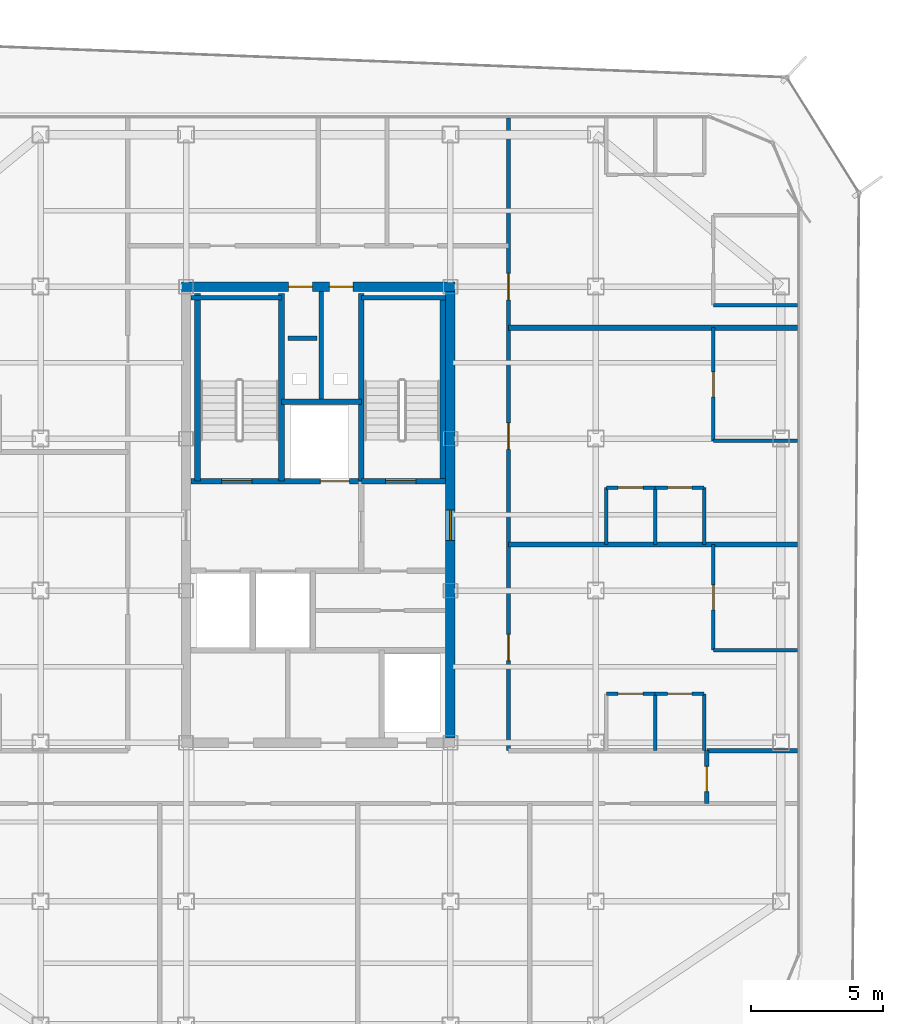
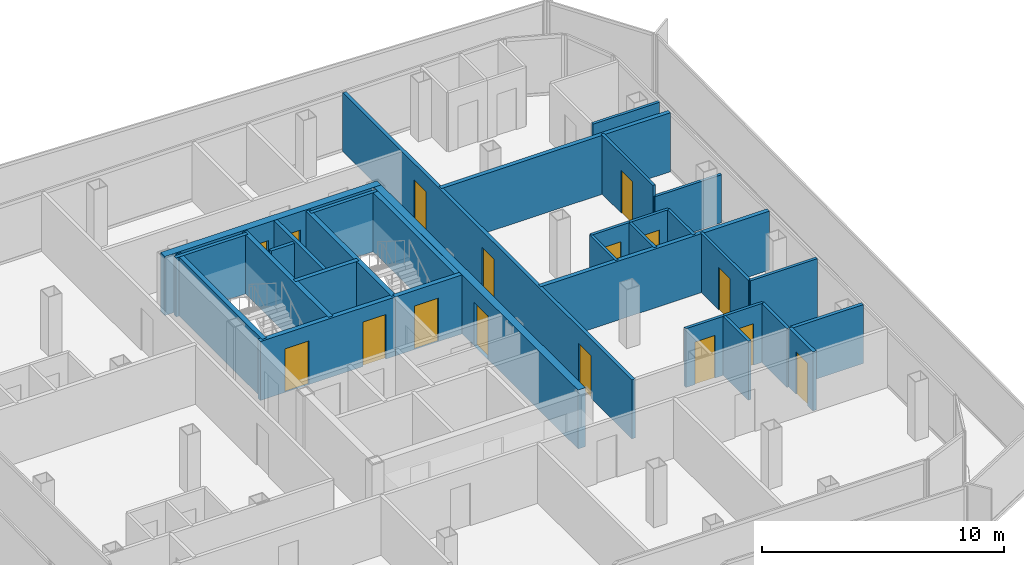
# One storey, part 11 of 15: 32 walls, 16 doors, 16 openings.
"""IFC4 building model written with IfcOpenShell, lengths in metres."""

from ifc_helpers import new_model, si_unit, direction, frame, frame_2d, origin, place, context, subcontext, project, spatial, rectangle, extrude, material, layer, layer_set, type_object, element, fill, save


model = new_model("IFC4")

# Units and contexts
model_context = context("Model", 3, precision=1e-05, world=origin(), true_north=direction((0.0, 1.0)))
body_context = subcontext(model_context, "Body", "Model", "MODEL_VIEW")
ifc_project = project(units=[si_unit("LENGTHUNIT", "METRE"), si_unit("AREAUNIT", "SQUARE_METRE"), si_unit("VOLUMEUNIT", "CUBIC_METRE"), si_unit("PLANEANGLEUNIT", "RADIAN"), si_unit("MASSUNIT", "GRAM", prefix="KILO")], contexts=[model_context])

# Site, building, storey
site_placement = place(None, origin())
site = spatial("IfcSite", under=ifc_project, at=site_placement, CompositionType="ELEMENT")
building_placement = place(site_placement, origin())
building = spatial("IfcBuilding", under=site, at=building_placement, Name="Kolveth Station Tower", CompositionType="ELEMENT")
storey_placement = place(building_placement, frame((0.0, 0.0, 245.699951171875)))
storey = spatial("IfcBuildingStorey", under=building, at=storey_placement, Name="L70", CompositionType="ELEMENT", Elevation=245.699951171875)

# Wall, openings, doors
ifc_material_1 = material(Name="Concrete C50/60", Category="concrete")
ifc_layer_1 = layer(ifc_material_1, 0.35009765625)
ifc_layer_set_1 = layer_set([ifc_layer_1], Name="Concrete C50/60")
wall_type_1 = type_object("IfcWallType", Name="Wall_CW-350", PredefinedType="SHEAR", material=ifc_layer_set_1)
wall_1_placement = place(storey_placement, frame((18.324951171875, 28.75, 0.0), z_axis=(0.0, 0.0, 1.0), x_axis=(1.0, 0.0, 0.0)))
wall_1 = element("IfcWall", 1, at=wall_1_placement, inside=storey, type_object=wall_type_1, Name="L70 Core RC Shear Wall N", PredefinedType="SHEAR", context=body_context, shape_type="SweptSolid", body=[
    extrude(rectangle(XDim=10.35009765625, YDim=0.35009765625, at=frame_2d((5.175048828125, 0.0))), origin(), (0.0, 0.0, 1.0), 2.97998046875),
])
opening_1_placement = place(wall_1_placement, frame((4.054931640625, 0.0, 0.0)))
opening_1 = element("IfcOpeningElement", 2, at=opening_1_placement, cuts=wall_1, Name="Opening RD1", PredefinedType="OPENING", context=body_context, shape_type="SweptSolid", body=[
    extrude(rectangle(XDim=0.89990234375, YDim=2.050048828125, at=frame_2d((0.449951171875, 1.02490234375))), frame((0.0, 0.18505859375, 0.0), z_axis=(0.0, -1.0, 0.0), x_axis=(1.0, 0.0, 0.0)), (0.0, 0.0, 1.0), 0.3701171875),
])
opening_2_placement = place(wall_1_placement, frame((5.594970703125, 0.0, 0.0)))
opening_2 = element("IfcOpeningElement", 3, at=opening_2_placement, cuts=wall_1, Name="Opening RD1", PredefinedType="OPENING", context=body_context, shape_type="SweptSolid", body=[
    extrude(rectangle(XDim=0.89990234375, YDim=2.050048828125, at=frame_2d((0.449951171875, 1.02490234375))), frame((0.0, 0.18505859375, 0.0), z_axis=(0.0, -1.0, 0.0), x_axis=(1.0, 0.0, 0.0)), (0.0, 0.0, 1.0), 0.3701171875),
])
ifc_material_2 = material(Name="Fire-rated Steel S355 riser access leaf", Category="steel")
door_type_1 = type_object("IfcDoorType", Name="Door_RD1", OperationType="NOTDEFINED", PredefinedType="DOOR", material=ifc_material_2)
door_1_placement = place(opening_1_placement, origin())
door_1 = element("IfcDoor", 4, at=door_1_placement, inside=storey, type_object=door_type_1, Name="L70 Electrical Riser Access Door", OperationType="SINGLE_SWING_LEFT", OverallHeight=2.050048828125, OverallWidth=0.89990234375, PredefinedType="DOOR", context=body_context, shape_type="SweptSolid", body=[
    extrude(rectangle(XDim=0.89990234375, YDim=2.050048828125, at=frame_2d((0.449951171875, 1.02490234375))), frame((0.0, 0.02490234375, 0.0), z_axis=(0.0, -1.0, 0.0), x_axis=(1.0, 0.0, 0.0)), (0.0, 0.0, 1.0), 0.050048828125),
])
fill(opening_1, door_1)
door_2_placement = place(opening_2_placement, origin())
door_2 = element("IfcDoor", 5, at=door_2_placement, inside=storey, type_object=door_type_1, Name="L70 Smoke Duct Access Door", OperationType="SINGLE_SWING_LEFT", OverallHeight=2.050048828125, OverallWidth=0.89990234375, PredefinedType="DOOR", context=body_context, shape_type="SweptSolid", body=[
    extrude(rectangle(XDim=0.89990234375, YDim=2.050048828125, at=frame_2d((0.449951171875, 1.02490234375))), frame((0.0, 0.02490234375, 0.0), z_axis=(0.0, -1.0, 0.0), x_axis=(1.0, 0.0, 0.0)), (0.0, 0.0, 1.0), 0.050048828125),
])
fill(opening_2, door_2)

# Wall, opening, door
wall_2_placement = place(storey_placement, frame((28.5, 11.675048828125, 0.0), z_axis=(0.0, 0.0, 1.0), x_axis=(0.0, 1.0, 0.0)))
wall_2 = element("IfcWall", 6, at=wall_2_placement, inside=storey, type_object=wall_type_1, Name="L70 Core RC Shear Wall E", PredefinedType="SHEAR", context=body_context, shape_type="SweptSolid", body=[
    extrude(rectangle(XDim=16.89990234375, YDim=0.35009765625, at=frame_2d((8.449951171875, 0.0))), origin(), (0.0, 0.0, 1.0), 2.97998046875),
])
opening_3_placement = place(wall_2_placement, frame((7.47509765625, 0.0, 0.0)))
opening_3 = element("IfcOpeningElement", 7, at=opening_3_placement, cuts=wall_2, Name="Opening FD1", PredefinedType="OPENING", context=body_context, shape_type="SweptSolid", body=[
    extrude(rectangle(XDim=1.14990234375, YDim=2.199951171875, at=frame_2d((0.574951171875, 1.10009765625))), frame((0.0, 0.18505859375, 0.0), z_axis=(0.0, -1.0, 0.0), x_axis=(1.0, 0.0, 0.0)), (0.0, 0.0, 1.0), 0.3701171875),
])
ifc_material_3 = material(Name="Fire-rated Steel S355 leaf and frame", Category="steel")
door_type_2 = type_object("IfcDoorType", Name="Door_FD1", OperationType="NOTDEFINED", PredefinedType="DOOR", material=ifc_material_3)
door_3_placement = place(opening_3_placement, origin())
door_3 = element("IfcDoor", 8, at=door_3_placement, inside=storey, type_object=door_type_2, Name="L70 East Corridor to Stair Lobby Door", OperationType="SINGLE_SWING_LEFT", OverallHeight=2.199951171875, OverallWidth=1.14990234375, PredefinedType="DOOR", context=body_context, shape_type="SweptSolid", body=[
    extrude(rectangle(XDim=1.14990234375, YDim=2.199951171875, at=frame_2d((0.574951171875, 1.10009765625))), frame((0.0, 0.02490234375, 0.0), z_axis=(0.0, -1.0, 0.0), x_axis=(1.0, 0.0, 0.0)), (0.0, 0.0, 1.0), 0.050048828125),
])
fill(opening_3, door_3)

ifc_material_4 = material(Name="Moisture-resistant gypsum partition")
ifc_layer_2 = layer(ifc_material_4, 0.135009765625)
ifc_layer_set_2 = layer_set([ifc_layer_2], Name="Moisture-resistant gypsum partition")
wall_type_2 = type_object("IfcWallType", Name="Wall_IW-135", PredefinedType="PARTITIONING", material=ifc_layer_set_2)
wall_3_placement = place(storey_placement, frame((34.39990234375, 13.35009765625, 0.0), z_axis=(0.0, 0.0, 1.0), x_axis=(1.0, 0.0, 0.0)))
wall_3 = element("IfcWall", 9, at=wall_3_placement, inside=storey, type_object=wall_type_2, Name="L70 Partition Wall WL-L70-E1-IBHK", PredefinedType="PARTITIONING", context=body_context, shape_type="SweptSolid", body=[
    extrude(rectangle(XDim=1.85009765625, YDim=0.135009765625, at=frame_2d((0.925048828125, 0.0))), origin(), (0.0, 0.0, 1.0), 2.97998046875),
])
opening_4_placement = place(wall_3_placement, frame((0.445068359375, 0.0, 0.0)))
opening_4 = element("IfcOpeningElement", 10, at=opening_4_placement, cuts=wall_3, Name="Opening ID1", PredefinedType="OPENING", context=body_context, shape_type="SweptSolid", body=[
    extrude(rectangle(XDim=0.949951171875, YDim=2.14990234375, at=frame_2d((0.47509765625, 1.074951171875))), frame((0.0, 0.077392578125, 0.0), z_axis=(0.0, -1.0, 0.0), x_axis=(1.0, 0.0, 0.0)), (0.0, 0.0, 1.0), 0.155029296875),
])
ifc_material_5 = material(Name="Acoustic hardwood leaf and aluminium frame", Category="wood")
door_type_3 = type_object("IfcDoorType", Name="Door_ID1", OperationType="NOTDEFINED", PredefinedType="DOOR", material=ifc_material_5)
door_4_placement = place(opening_4_placement, origin())
door_4 = element("IfcDoor", 11, at=door_4_placement, inside=storey, type_object=door_type_3, Name="Flat L70-E1 Kitchen Door", OperationType="SINGLE_SWING_RIGHT", OverallHeight=2.14990234375, OverallWidth=0.949951171875, PredefinedType="DOOR", context=body_context, shape_type="SweptSolid", body=[
    extrude(rectangle(XDim=0.949951171875, YDim=2.14990234375, at=frame_2d((0.47509765625, 1.074951171875))), frame((0.0, 0.02490234375, 0.0), z_axis=(0.0, -1.0, 0.0), x_axis=(1.0, 0.0, 0.0)), (0.0, 0.0, 1.0), 0.050048828125),
])
fill(opening_4, door_4)

wall_4_placement = place(storey_placement, frame((36.25, 13.35009765625, 0.0), z_axis=(0.0, 0.0, 1.0), x_axis=(1.0, 0.0, 0.0)))
wall_4 = element("IfcWall", 12, at=wall_4_placement, inside=storey, type_object=wall_type_2, Name="L70 Partition Wall WL-L70-E1-IBHB", PredefinedType="PARTITIONING", context=body_context, shape_type="SweptSolid", body=[
    extrude(rectangle(XDim=1.85009765625, YDim=0.135009765625, at=frame_2d((0.925048828125, 0.0))), origin(), (0.0, 0.0, 1.0), 2.97998046875),
])
opening_5_placement = place(wall_4_placement, frame((0.465087890625, 0.0, 0.0)))
opening_5 = element("IfcOpeningElement", 13, at=opening_5_placement, cuts=wall_4, Name="Opening ID2", PredefinedType="OPENING", context=body_context, shape_type="SweptSolid", body=[
    extrude(rectangle(XDim=0.919921875, YDim=2.10009765625, at=frame_2d((0.4599609375, 1.050048828125))), frame((0.0, 0.077392578125, 0.0), z_axis=(0.0, -1.0, 0.0), x_axis=(1.0, 0.0, 0.0)), (0.0, 0.0, 1.0), 0.155029296875),
])
ifc_material_6 = material(Name="Moisture-resistant hardwood leaf", Category="wood")
door_type_4 = type_object("IfcDoorType", Name="Door_ID2", OperationType="NOTDEFINED", PredefinedType="DOOR", material=ifc_material_6)
door_5_placement = place(opening_5_placement, origin())
door_5 = element("IfcDoor", 14, at=door_5_placement, inside=storey, type_object=door_type_4, Name="Flat L70-E1 Bathroom Door", OperationType="SINGLE_SWING_LEFT", OverallHeight=2.10009765625, OverallWidth=0.919921875, PredefinedType="DOOR", context=body_context, shape_type="SweptSolid", body=[
    extrude(rectangle(XDim=0.919921875, YDim=2.10009765625, at=frame_2d((0.4599609375, 1.050048828125))), frame((0.0, 0.02490234375, 0.0), z_axis=(0.0, -1.0, 0.0), x_axis=(1.0, 0.0, 0.0)), (0.0, 0.0, 1.0), 0.050048828125),
])
fill(opening_5, door_5)

# Walls
for number, where, z_axis, x_axis, name in (
    (15, (36.25, 11.199951171875, 0.0), (0.0, 0.0, 1.0), (0.0, 1.0, 0.0), "L70 Partition Wall WL-L70-E1-IBV1"),
    (16, (38.10009765625, 11.199951171875, 0.0), (0.0, 0.0, 1.0), (0.0, 1.0, 0.0), "L70 Partition Wall WL-L70-E1-IBV2"),
):
    element("IfcWall", number, at=place(storey_placement, frame(where, z_axis=z_axis, x_axis=x_axis)), inside=storey, type_object=wall_type_2, Name=name, PredefinedType="PARTITIONING", context=body_context, shape_type="SweptSolid", body=[
        extrude(rectangle(XDim=2.150146484375, YDim=0.135009765625, at=frame_2d((1.0751953125, 0.0))), origin(), (0.0, 0.0, 1.0), 2.97998046875),
    ])
wall_5_placement = place(storey_placement, frame((38.449951171875, 15.00390625, 0.0), z_axis=(0.0, 0.0, 1.0), x_axis=(1.0, 0.0, 0.0)))
element("IfcWall", 17, at=wall_5_placement, inside=storey, type_object=wall_type_2, Name="L70 Partition Wall WL-L70-E1-BDH0", PredefinedType="PARTITIONING", context=body_context, shape_type="SweptSolid", body=[
    extrude(rectangle(XDim=3.18994140625, YDim=0.135009765625, at=frame_2d((1.594970703125, 0.0))), origin(), (0.0, 0.0, 1.0), 2.97998046875),
])

# Wall, opening, door
wall_6_placement = place(storey_placement, frame((38.449951171875, 15.00390625, 0.0), z_axis=(0.0, 0.0, 1.0), x_axis=(0.0, 1.0, 0.0)))
wall_6 = element("IfcWall", 18, at=wall_6_placement, inside=storey, type_object=wall_type_2, Name="L70 Partition Wall WL-L70-E1-BDV1", PredefinedType="PARTITIONING", context=body_context, shape_type="SweptSolid", body=[
    extrude(rectangle(XDim=3.99609375, YDim=0.135009765625, at=frame_2d((1.998046875, 0.0))), origin(), (0.0, 0.0, 1.0), 2.97998046875),
])
opening_6_placement = place(wall_6_placement, frame((1.51806640625, 0.0, 0.0)))
opening_6 = element("IfcOpeningElement", 19, at=opening_6_placement, cuts=wall_6, Name="Opening ID1", PredefinedType="OPENING", context=body_context, shape_type="SweptSolid", body=[
    extrude(rectangle(XDim=0.949951171875, YDim=2.14990234375, at=frame_2d((0.47509765625, 1.074951171875))), frame((0.0, 0.077392578125, 0.0), z_axis=(0.0, -1.0, 0.0), x_axis=(1.0, 0.0, 0.0)), (0.0, 0.0, 1.0), 0.155029296875),
])
door_6_placement = place(opening_6_placement, frame((0.949951171875, 0.0, 0.0), z_axis=(0.0, 0.0, 1.0), x_axis=(-1.0, 0.0, 0.0)))
door_6 = element("IfcDoor", 20, at=door_6_placement, inside=storey, type_object=door_type_3, Name="Flat L70-E1 Bedroom 1 Door", OperationType="SINGLE_SWING_RIGHT", OverallHeight=2.14990234375, OverallWidth=0.949951171875, PredefinedType="DOOR", context=body_context, shape_type="SweptSolid", body=[
    extrude(rectangle(XDim=0.949951171875, YDim=2.14990234375, at=frame_2d((0.47509765625, 1.074951171875))), frame((0.0, 0.02490234375, 0.0), z_axis=(0.0, -1.0, 0.0), x_axis=(1.0, 0.0, 0.0)), (0.0, 0.0, 1.0), 0.050048828125),
])
fill(opening_6, door_6)

wall_7_placement = place(storey_placement, frame((34.39990234375, 21.14990234375, 0.0), z_axis=(0.0, 0.0, 1.0), x_axis=(1.0, 0.0, 0.0)))
wall_7 = element("IfcWall", 21, at=wall_7_placement, inside=storey, type_object=wall_type_2, Name="L70 Partition Wall WL-L70-E2-IBHK", PredefinedType="PARTITIONING", context=body_context, shape_type="SweptSolid", body=[
    extrude(rectangle(XDim=1.85009765625, YDim=0.135009765625, at=frame_2d((0.925048828125, 0.0))), origin(), (0.0, 0.0, 1.0), 2.97998046875),
])
opening_7_placement = place(wall_7_placement, frame((0.445068359375, 0.0, 0.0)))
opening_7 = element("IfcOpeningElement", 22, at=opening_7_placement, cuts=wall_7, Name="Opening ID1", PredefinedType="OPENING", context=body_context, shape_type="SweptSolid", body=[
    extrude(rectangle(XDim=0.949951171875, YDim=2.14990234375, at=frame_2d((0.47509765625, 1.074951171875))), frame((0.0, 0.077392578125, 0.0), z_axis=(0.0, -1.0, 0.0), x_axis=(1.0, 0.0, 0.0)), (0.0, 0.0, 1.0), 0.155029296875),
])
door_7_placement = place(opening_7_placement, origin())
door_7 = element("IfcDoor", 23, at=door_7_placement, inside=storey, type_object=door_type_3, Name="Flat L70-E2 Kitchen Door", OperationType="SINGLE_SWING_LEFT", OverallHeight=2.14990234375, OverallWidth=0.949951171875, PredefinedType="DOOR", context=body_context, shape_type="SweptSolid", body=[
    extrude(rectangle(XDim=0.949951171875, YDim=2.14990234375, at=frame_2d((0.47509765625, 1.074951171875))), frame((0.0, 0.02490234375, 0.0), z_axis=(0.0, -1.0, 0.0), x_axis=(1.0, 0.0, 0.0)), (0.0, 0.0, 1.0), 0.050048828125),
])
fill(opening_7, door_7)

wall_8_placement = place(storey_placement, frame((36.25, 21.14990234375, 0.0), z_axis=(0.0, 0.0, 1.0), x_axis=(1.0, 0.0, 0.0)))
wall_8 = element("IfcWall", 24, at=wall_8_placement, inside=storey, type_object=wall_type_2, Name="L70 Partition Wall WL-L70-E2-IBHB", PredefinedType="PARTITIONING", context=body_context, shape_type="SweptSolid", body=[
    extrude(rectangle(XDim=1.85009765625, YDim=0.135009765625, at=frame_2d((0.925048828125, 0.0))), origin(), (0.0, 0.0, 1.0), 2.97998046875),
])
opening_8_placement = place(wall_8_placement, frame((0.465087890625, 0.0, 0.0)))
opening_8 = element("IfcOpeningElement", 25, at=opening_8_placement, cuts=wall_8, Name="Opening ID2", PredefinedType="OPENING", context=body_context, shape_type="SweptSolid", body=[
    extrude(rectangle(XDim=0.919921875, YDim=2.10009765625, at=frame_2d((0.4599609375, 1.050048828125))), frame((0.0, 0.077392578125, 0.0), z_axis=(0.0, -1.0, 0.0), x_axis=(1.0, 0.0, 0.0)), (0.0, 0.0, 1.0), 0.155029296875),
])
door_8_placement = place(opening_8_placement, origin())
door_8 = element("IfcDoor", 26, at=door_8_placement, inside=storey, type_object=door_type_4, Name="Flat L70-E2 Bathroom Door", OperationType="SINGLE_SWING_LEFT", OverallHeight=2.10009765625, OverallWidth=0.919921875, PredefinedType="DOOR", context=body_context, shape_type="SweptSolid", body=[
    extrude(rectangle(XDim=0.919921875, YDim=2.10009765625, at=frame_2d((0.4599609375, 1.050048828125))), frame((0.0, 0.02490234375, 0.0), z_axis=(0.0, -1.0, 0.0), x_axis=(1.0, 0.0, 0.0)), (0.0, 0.0, 1.0), 0.050048828125),
])
fill(opening_8, door_8)

# Walls
for number, where, z_axis, x_axis, name in (
    (27, (34.39990234375, 19.0, 0.0), (0.0, 0.0, 1.0), (0.0, 1.0, 0.0), "L70 Partition Wall WL-L70-E2-IBV0"),
    (28, (36.25, 19.0, 0.0), (0.0, 0.0, 1.0), (0.0, 1.0, 0.0), "L70 Partition Wall WL-L70-E2-IBV1"),
    (29, (38.10009765625, 19.0, 0.0), (0.0, 0.0, 1.0), (0.0, 1.0, 0.0), "L70 Partition Wall WL-L70-E2-IBV2"),
):
    element("IfcWall", number, at=place(storey_placement, frame(where, z_axis=z_axis, x_axis=x_axis)), inside=storey, type_object=wall_type_2, Name=name, PredefinedType="PARTITIONING", context=body_context, shape_type="SweptSolid", body=[
        extrude(rectangle(XDim=2.14990234375, YDim=0.135009765625, at=frame_2d((1.074951171875, 0.0))), origin(), (0.0, 0.0, 1.0), 2.97998046875),
    ])
wall_9_placement = place(storey_placement, frame((38.449951171875, 22.916015625, 0.0), z_axis=(0.0, 0.0, 1.0), x_axis=(1.0, 0.0, 0.0)))
element("IfcWall", 30, at=wall_9_placement, inside=storey, type_object=wall_type_2, Name="L70 Partition Wall WL-L70-E2-BDH0", PredefinedType="PARTITIONING", context=body_context, shape_type="SweptSolid", body=[
    extrude(rectangle(XDim=3.18994140625, YDim=0.135009765625, at=frame_2d((1.594970703125, 0.0))), origin(), (0.0, 0.0, 1.0), 2.427978515625),
])

# Wall, opening, door
wall_10_placement = place(storey_placement, frame((38.449951171875, 22.916015625, 0.0), z_axis=(0.0, 0.0, 1.0), x_axis=(0.0, 1.0, 0.0)))
wall_10 = element("IfcWall", 31, at=wall_10_placement, inside=storey, type_object=wall_type_2, Name="L70 Partition Wall WL-L70-E2-BDV1", PredefinedType="PARTITIONING", context=body_context, shape_type="SweptSolid", body=[
    extrude(rectangle(XDim=4.283935546875, YDim=0.135009765625, at=frame_2d((2.14208984375, 0.0))), origin(), (0.0, 0.0, 1.0), 2.97998046875),
])
opening_9_placement = place(wall_10_placement, frame((1.662109375, 0.0, 0.0)))
opening_9 = element("IfcOpeningElement", 32, at=opening_9_placement, cuts=wall_10, Name="Opening ID1", PredefinedType="OPENING", context=body_context, shape_type="SweptSolid", body=[
    extrude(rectangle(XDim=0.949951171875, YDim=2.14990234375, at=frame_2d((0.47509765625, 1.074951171875))), frame((0.0, 0.077392578125, 0.0), z_axis=(0.0, -1.0, 0.0), x_axis=(1.0, 0.0, 0.0)), (0.0, 0.0, 1.0), 0.155029296875),
])
door_9_placement = place(opening_9_placement, frame((0.949951171875, 0.0, 0.0), z_axis=(0.0, 0.0, 1.0), x_axis=(-1.0, 0.0, 0.0)))
door_9 = element("IfcDoor", 33, at=door_9_placement, inside=storey, type_object=door_type_3, Name="Flat L70-E2 Bedroom 1 Door", OperationType="SINGLE_SWING_RIGHT", OverallHeight=2.14990234375, OverallWidth=0.949951171875, PredefinedType="DOOR", context=body_context, shape_type="SweptSolid", body=[
    extrude(rectangle(XDim=0.949951171875, YDim=2.14990234375, at=frame_2d((0.47509765625, 1.074951171875))), frame((0.0, 0.02490234375, 0.0), z_axis=(0.0, -1.0, 0.0), x_axis=(1.0, 0.0, 0.0)), (0.0, 0.0, 1.0), 0.050048828125),
])
fill(opening_9, door_9)

# Walls
wall_11_placement = place(storey_placement, frame((38.449951171875, 28.050048828125, 0.0), z_axis=(0.0, 0.0, 1.0), x_axis=(1.0, 0.0, 0.0)))
element("IfcWall", 34, at=wall_11_placement, inside=storey, type_object=wall_type_2, Name="L70 Partition Wall WL-L70-E3-BDH0", PredefinedType="PARTITIONING", context=body_context, shape_type="SweptSolid", body=[
    extrude(rectangle(XDim=3.18994140625, YDim=0.135009765625, at=frame_2d((1.594970703125, 0.0))), origin(), (0.0, 0.0, 1.0), 2.97998046875),
])
ifc_material_7 = material(Name="Acoustic double-stud gypsum partition")
ifc_layer_3 = layer(ifc_material_7, 0.1650390625)
ifc_layer_set_3 = layer_set([ifc_layer_3], Name="Acoustic double-stud gypsum partition")
wall_type_3 = type_object("IfcWallType", Name="Wall_IW-165", PredefinedType="PARTITIONING", material=ifc_layer_set_3)
wall_12_placement = place(storey_placement, frame((18.68505859375, 28.3349609375, 0.0), z_axis=(0.0, 0.0, 1.0), x_axis=(1.0, 0.0, 0.0)))
element("IfcWall", 35, at=wall_12_placement, inside=storey, type_object=wall_type_3, Name="L70 Stair Shaft Wall WL-L70-ST1-N", PredefinedType="PARTITIONING", context=body_context, shape_type="SweptSolid", body=[
    extrude(rectangle(XDim=3.425048828125, YDim=0.1650390625, at=frame_2d((1.71240234375, 0.0))), origin(), (0.0, 0.0, 1.0), 2.97998046875),
])
wall_13_placement = place(storey_placement, frame((25.1298828125, 28.3349609375, 0.0), z_axis=(0.0, 0.0, 1.0), x_axis=(1.0, 0.0, 0.0)))
element("IfcWall", 36, at=wall_13_placement, inside=storey, type_object=wall_type_3, Name="L70 Stair Shaft Wall WL-L70-ST2-N", PredefinedType="PARTITIONING", context=body_context, shape_type="SweptSolid", body=[
    extrude(rectangle(XDim=3.18505859375, YDim=0.1650390625, at=frame_2d((1.592529296875, 0.0))), origin(), (0.0, 0.0, 1.0), 2.97998046875),
])
wall_14_placement = place(storey_placement, frame((23.6201171875, 24.39990234375, 0.0), z_axis=(0.0, 0.0, 1.0), x_axis=(0.0, 1.0, 0.0)))
element("IfcWall", 37, at=wall_14_placement, inside=storey, type_object=wall_type_3, Name="L70 Partition Wall WL-L70-RSR-M", PredefinedType="PARTITIONING", context=body_context, shape_type="SweptSolid", body=[
    extrude(rectangle(XDim=4.1650390625, YDim=0.1650390625, at=frame_2d((2.08251953125, 0.0))), origin(), (0.0, 0.0, 1.0), 2.97998046875),
])

# Wall, opening, door
wall_15_placement = place(storey_placement, frame((38.199951171875, 9.199951171875, 0.0), z_axis=(0.0, 0.0, 1.0), x_axis=(0.0, 1.0, 0.0)))
wall_15 = element("IfcWall", 38, at=wall_15_placement, inside=storey, type_object=wall_type_3, Name="L70 Partition Wall WL-L70-RSEE", PredefinedType="PARTITIONING", context=body_context, shape_type="SweptSolid", body=[
    extrude(rectangle(XDim=2.0, YDim=0.1650390625, at=frame_2d((1.0, 0.0))), origin(), (0.0, 0.0, 1.0), 2.97998046875),
])
opening_10_placement = place(wall_15_placement, frame((0.449951171875, 0.0, 0.0)))
opening_10 = element("IfcOpeningElement", 39, at=opening_10_placement, cuts=wall_15, Name="Opening ID1", PredefinedType="OPENING", context=body_context, shape_type="SweptSolid", body=[
    extrude(rectangle(XDim=0.949951171875, YDim=2.14990234375, at=frame_2d((0.47509765625, 1.074951171875))), frame((0.0, 0.092529296875, 0.0), z_axis=(0.0, -1.0, 0.0), x_axis=(1.0, 0.0, 0.0)), (0.0, 0.0, 1.0), 0.18505859375),
])
door_10_placement = place(opening_10_placement, origin())
door_10 = element("IfcDoor", 40, at=door_10_placement, inside=storey, type_object=door_type_3, Name="L70 Hobby Study Door", OperationType="SINGLE_SWING_LEFT", OverallHeight=2.14990234375, OverallWidth=0.949951171875, PredefinedType="DOOR", context=body_context, shape_type="SweptSolid", body=[
    extrude(rectangle(XDim=0.949951171875, YDim=2.14990234375, at=frame_2d((0.47509765625, 1.074951171875))), frame((0.0, 0.02490234375, 0.0), z_axis=(0.0, -1.0, 0.0), x_axis=(1.0, 0.0, 0.0)), (0.0, 0.0, 1.0), 0.050048828125),
])
fill(opening_10, door_10)

# Wall, openings, doors
wall_16_placement = place(storey_placement, frame((30.699951171875, 11.199951171875, 0.0), z_axis=(0.0, 0.0, 1.0), x_axis=(0.0, 1.0, 0.0)))
wall_16 = element("IfcWall", 41, at=wall_16_placement, inside=storey, type_object=wall_type_3, Name="L70 Partition Wall WL-L70-RE", PredefinedType="PARTITIONING", context=body_context, shape_type="SweptSolid", body=[
    extrude(rectangle(XDim=23.93994140625, YDim=0.1650390625, at=frame_2d((11.969970703125, 0.0))), origin(), (0.0, 0.0, 1.0), 2.97998046875),
])
opening_11_placement = place(wall_16_placement, frame((3.39990234375, 0.0, 0.0)))
opening_11 = element("IfcOpeningElement", 42, at=opening_11_placement, cuts=wall_16, Name="Opening FD3", PredefinedType="OPENING", context=body_context, shape_type="SweptSolid", body=[
    extrude(rectangle(XDim=1.0, YDim=2.14990234375, at=frame_2d((0.5, 1.074951171875))), frame((0.0, 0.092529296875, 0.0), z_axis=(0.0, -1.0, 0.0), x_axis=(1.0, 0.0, 0.0)), (0.0, 0.0, 1.0), 0.18505859375),
])
opening_12_placement = place(wall_16_placement, frame((11.39990234375, 0.0, 0.0)))
opening_12 = element("IfcOpeningElement", 43, at=opening_12_placement, cuts=wall_16, Name="Opening FD3", PredefinedType="OPENING", context=body_context, shape_type="SweptSolid", body=[
    extrude(rectangle(XDim=1.0, YDim=2.14990234375, at=frame_2d((0.5, 1.074951171875))), frame((0.0, 0.092529296875, 0.0), z_axis=(0.0, -1.0, 0.0), x_axis=(1.0, 0.0, 0.0)), (0.0, 0.0, 1.0), 0.18505859375),
])
opening_13_placement = place(wall_16_placement, frame((17.050048828125, 0.0, 0.0)))
opening_13 = element("IfcOpeningElement", 44, at=opening_13_placement, cuts=wall_16, Name="Opening FD3", PredefinedType="OPENING", context=body_context, shape_type="SweptSolid", body=[
    extrude(rectangle(XDim=1.0, YDim=2.14990234375, at=frame_2d((0.5, 1.074951171875))), frame((0.0, 0.092529296875, 0.0), z_axis=(0.0, -1.0, 0.0), x_axis=(1.0, 0.0, 0.0)), (0.0, 0.0, 1.0), 0.18505859375),
])
ifc_material_8 = material(Name="Fire-rated hardwood leaf and aluminium frame", Category="wood")
door_type_5 = type_object("IfcDoorType", Name="Door_FD3", OperationType="NOTDEFINED", PredefinedType="DOOR", material=ifc_material_8)
door_11_placement = place(opening_11_placement, frame((1.0, 0.0, 0.0), z_axis=(0.0, 0.0, 1.0), x_axis=(-1.0, 0.0, 0.0)))
door_11 = element("IfcDoor", 45, at=door_11_placement, inside=storey, type_object=door_type_5, Name="Flat L70-E1 Entrance Door", OperationType="SINGLE_SWING_LEFT", OverallHeight=2.14990234375, OverallWidth=1.0, PredefinedType="DOOR", context=body_context, shape_type="SweptSolid", body=[
    extrude(rectangle(XDim=1.0, YDim=2.14990234375, at=frame_2d((0.5, 1.074951171875))), frame((0.0, 0.02490234375, 0.0), z_axis=(0.0, -1.0, 0.0), x_axis=(1.0, 0.0, 0.0)), (0.0, 0.0, 1.0), 0.050048828125),
])
fill(opening_11, door_11)
door_12_placement = place(opening_12_placement, frame((1.0, 0.0, 0.0), z_axis=(0.0, 0.0, 1.0), x_axis=(-1.0, 0.0, 0.0)))
door_12 = element("IfcDoor", 46, at=door_12_placement, inside=storey, type_object=door_type_5, Name="Flat L70-E2 Entrance Door", OperationType="SINGLE_SWING_LEFT", OverallHeight=2.14990234375, OverallWidth=1.0, PredefinedType="DOOR", context=body_context, shape_type="SweptSolid", body=[
    extrude(rectangle(XDim=1.0, YDim=2.14990234375, at=frame_2d((0.5, 1.074951171875))), frame((0.0, 0.02490234375, 0.0), z_axis=(0.0, -1.0, 0.0), x_axis=(1.0, 0.0, 0.0)), (0.0, 0.0, 1.0), 0.050048828125),
])
fill(opening_12, door_12)
door_13_placement = place(opening_13_placement, frame((1.0, 0.0, 0.0), z_axis=(0.0, 0.0, 1.0), x_axis=(-1.0, 0.0, 0.0)))
door_13 = element("IfcDoor", 47, at=door_13_placement, inside=storey, type_object=door_type_5, Name="Flat L70-E3 Entrance Door", OperationType="SINGLE_SWING_LEFT", OverallHeight=2.14990234375, OverallWidth=1.0, PredefinedType="DOOR", context=body_context, shape_type="SweptSolid", body=[
    extrude(rectangle(XDim=1.0, YDim=2.14990234375, at=frame_2d((0.5, 1.074951171875))), frame((0.0, 0.02490234375, 0.0), z_axis=(0.0, -1.0, 0.0), x_axis=(1.0, 0.0, 0.0)), (0.0, 0.0, 1.0), 0.050048828125),
])
fill(opening_13, door_13)

# Walls
wall_17_placement = place(storey_placement, frame((38.199951171875, 11.199951171875, 0.0), z_axis=(0.0, 0.0, 1.0), x_axis=(1.0, 0.0, 0.0)))
element("IfcWall", 48, at=wall_17_placement, inside=storey, type_object=wall_type_3, Name="L70 Partition Wall WL-L70-ESTN", PredefinedType="PARTITIONING", context=body_context, shape_type="SweptSolid", body=[
    extrude(rectangle(XDim=3.43994140625, YDim=0.1650390625, at=frame_2d((1.719970703125, 0.0))), origin(), (0.0, 0.0, 1.0), 2.97998046875),
])
wall_18_placement = place(storey_placement, frame((22.35009765625, 26.800048828125, 0.0), z_axis=(0.0, 0.0, 1.0), x_axis=(1.0, 0.0, 0.0)))
element("IfcWall", 49, at=wall_18_placement, inside=storey, type_object=wall_type_3, Name="L70 Acoustic Riser Dry-Lining Wall", PredefinedType="PARTITIONING", context=body_context, shape_type="SweptSolid", body=[
    extrude(rectangle(XDim=1.099853515625, YDim=0.1650390625, at=frame_2d((0.5498046875, 0.0))), origin(), (0.0, 0.0, 1.0), 2.97998046875),
])
ifc_material_9 = material(Name="Acoustic fire-rated gypsum blockwork", Category="masonry")
ifc_layer_4 = layer(ifc_material_9, 0.199951171875)
ifc_layer_set_4 = layer_set([ifc_layer_4], Name="Acoustic fire-rated gypsum blockwork")
wall_type_4 = type_object("IfcWallType", Name="Wall_IW-200", PredefinedType="PARTITIONING", material=ifc_layer_set_4)
wall_19_placement = place(storey_placement, frame((22.110107421875, 24.39990234375, 0.0), z_axis=(0.0, 0.0, 1.0), x_axis=(1.0, 0.0, 0.0)))
element("IfcWall", 50, at=wall_19_placement, inside=storey, type_object=wall_type_4, Name="L70 Partition Wall WL-L70-RSR-S", PredefinedType="PARTITIONING", context=body_context, shape_type="SweptSolid", body=[
    extrude(rectangle(XDim=3.019775390625, YDim=0.199951171875, at=frame_2d((1.509765625, 0.0))), origin(), (0.0, 0.0, 1.0), 2.97998046875),
])
for number, where, z_axis, x_axis, name in (
    (51, (30.699951171875, 19.0, 0.0), (0.0, 0.0, 1.0), (1.0, 0.0, 0.0), "L70 Partition Wall WL-L70-REU-1"),
    (52, (30.699951171875, 27.199951171875, 0.0), (0.0, 0.0, 1.0), (1.0, 0.0, 0.0), "L70 Partition Wall WL-L70-REU-2"),
):
    element("IfcWall", number, at=place(storey_placement, frame(where, z_axis=z_axis, x_axis=x_axis)), inside=storey, type_object=wall_type_4, Name=name, PredefinedType="PARTITIONING", context=body_context, shape_type="SweptSolid", body=[
        extrude(rectangle(XDim=10.93994140625, YDim=0.199951171875, at=frame_2d((5.469970703125, 0.0))), origin(), (0.0, 0.0, 1.0), 2.97998046875),
    ])
ifc_material_10 = material(Name="Concrete C40/50", Category="concrete")
ifc_layer_5 = layer(ifc_material_10, 0.219970703125)
ifc_layer_set_5 = layer_set([ifc_layer_5], Name="Concrete C40/50")
wall_type_5 = type_object("IfcWallType", Name="Wall_IW-220", PredefinedType="SOLIDWALL", material=ifc_layer_set_5)
for number, where, z_axis, x_axis, name in (
    (53, (18.929931640625, 21.389892578125, 0.0), (0.0, 0.0, 1.0), (0.0, 1.0, 0.0), "L70 Stair Shaft Wall WL-L70-ST1-W"),
    (54, (22.110107421875, 21.389892578125, 0.0), (0.0, 0.0, 1.0), (0.0, 1.0, 0.0), "L70 Stair Shaft Wall WL-L70-ST1-E"),
    (55, (25.1298828125, 21.389892578125, 0.0), (0.0, 0.0, 1.0), (0.0, 1.0, 0.0), "L70 Stair Shaft Wall WL-L70-ST2-W"),
):
    element("IfcWall", number, at=place(storey_placement, frame(where, z_axis=z_axis, x_axis=x_axis)), inside=storey, type_object=wall_type_5, Name=name, PredefinedType="SOLIDWALL", context=body_context, shape_type="SweptSolid", body=[
        extrude(rectangle(XDim=7.110107421875, YDim=0.219970703125, at=frame_2d((3.55517578125, 0.0))), origin(), (0.0, 0.0, 1.0), 2.97998046875),
    ])
wall_20_placement = place(storey_placement, frame((28.2099609375, 21.389892578125, 0.0), z_axis=(0.0, 0.0, 1.0), x_axis=(0.0, 1.0, 0.0)))
element("IfcWall", 56, at=wall_20_placement, inside=storey, type_object=wall_type_5, Name="L70 Stair Shaft Wall WL-L70-ST2-E", PredefinedType="SOLIDWALL", context=body_context, shape_type="SweptSolid", body=[
    extrude(rectangle(XDim=6.945068359375, YDim=0.219970703125, at=frame_2d((3.47265625, 0.0))), origin(), (0.0, 0.0, 1.0), 2.97998046875),
])

# Wall, openings, doors
wall_21_placement = place(storey_placement, frame((18.68505859375, 21.389892578125, 0.0), z_axis=(0.0, 0.0, 1.0), x_axis=(1.0, 0.0, 0.0)))
wall_21 = element("IfcWall", 57, at=wall_21_placement, inside=storey, type_object=wall_type_5, Name="L70 Stair Shaft Wall WL-L70-ST1-S", PredefinedType="SOLIDWALL", context=body_context, shape_type="SweptSolid", body=[
    extrude(rectangle(XDim=6.44482421875, YDim=0.219970703125, at=frame_2d((3.222412109375, 0.0))), origin(), (0.0, 0.0, 1.0), 2.97998046875),
])
opening_14_placement = place(wall_21_placement, frame((1.1650390625, 0.0, 0.0)))
opening_14 = element("IfcOpeningElement", 58, at=opening_14_placement, cuts=wall_21, Name="Opening FD1", PredefinedType="OPENING", context=body_context, shape_type="SweptSolid", body=[
    extrude(rectangle(XDim=1.14990234375, YDim=2.199951171875, at=frame_2d((0.574951171875, 1.10009765625))), frame((0.0, 0.119873046875, 0.0), z_axis=(0.0, -1.0, 0.0), x_axis=(1.0, 0.0, 0.0)), (0.0, 0.0, 1.0), 0.239990234375),
])
opening_15_placement = place(wall_21_placement, frame((4.89501953125, 0.0, 0.0)))
opening_15 = element("IfcOpeningElement", 59, at=opening_15_placement, cuts=wall_21, Name="Opening LD1", PredefinedType="OPENING", context=body_context, shape_type="SweptSolid", body=[
    extrude(rectangle(XDim=1.10009765625, YDim=2.25, at=frame_2d((0.550048828125, 1.125))), frame((0.0, 0.119873046875, 0.0), z_axis=(0.0, -1.0, 0.0), x_axis=(1.0, 0.0, 0.0)), (0.0, 0.0, 1.0), 0.239990234375),
])
door_14_placement = place(opening_14_placement, frame((1.14990234375, 0.0, 0.0), z_axis=(0.0, 0.0, 1.0), x_axis=(-1.0, 0.0, 0.0)))
door_14 = element("IfcDoor", 60, at=door_14_placement, inside=storey, type_object=door_type_2, Name="L70 Stair ST1 Fire Door", OperationType="SINGLE_SWING_LEFT", OverallHeight=2.199951171875, OverallWidth=1.14990234375, PredefinedType="DOOR", context=body_context, shape_type="SweptSolid", body=[
    extrude(rectangle(XDim=1.14990234375, YDim=2.199951171875, at=frame_2d((0.574951171875, 1.10009765625))), frame((0.0, 0.02490234375, 0.0), z_axis=(0.0, -1.0, 0.0), x_axis=(1.0, 0.0, 0.0)), (0.0, 0.0, 1.0), 0.050048828125),
])
fill(opening_14, door_14)
ifc_material_11 = material(Name="Brushed stainless steel sliding landing doors", Category="steel")
door_type_6 = type_object("IfcDoorType", Name="Door_LD1", OperationType="NOTDEFINED", PredefinedType="DOOR", material=ifc_material_11)
door_15_placement = place(opening_15_placement, frame((1.10009765625, 0.0, 0.0), z_axis=(0.0, 0.0, 1.0), x_axis=(-1.0, 0.0, 0.0)))
door_15 = element("IfcDoor", 61, at=door_15_placement, inside=storey, type_object=door_type_6, Name="L70 Service Lift SV1 Landing Door", OperationType="DOUBLE_DOOR_SLIDING", OverallHeight=2.25, OverallWidth=1.10009765625, PredefinedType="DOOR", context=body_context, shape_type="SweptSolid", body=[
    extrude(rectangle(XDim=1.10009765625, YDim=2.25, at=frame_2d((0.550048828125, 1.125))), frame((0.0, 0.02490234375, 0.0), z_axis=(0.0, -1.0, 0.0), x_axis=(1.0, 0.0, 0.0)), (0.0, 0.0, 1.0), 0.050048828125),
])
fill(opening_15, door_15)

# Wall, opening, door
wall_22_placement = place(storey_placement, frame((25.1298828125, 21.389892578125, 0.0), z_axis=(0.0, 0.0, 1.0), x_axis=(1.0, 0.0, 0.0)))
wall_22 = element("IfcWall", 62, at=wall_22_placement, inside=storey, type_object=wall_type_5, Name="L70 Stair Shaft Wall WL-L70-ST2-S", PredefinedType="SOLIDWALL", context=body_context, shape_type="SweptSolid", body=[
    extrude(rectangle(XDim=3.18505859375, YDim=0.219970703125, at=frame_2d((1.592529296875, 0.0))), origin(), (0.0, 0.0, 1.0), 2.97998046875),
])
opening_16_placement = place(wall_22_placement, frame((0.919921875, 0.0, 0.0)))
opening_16 = element("IfcOpeningElement", 63, at=opening_16_placement, cuts=wall_22, Name="Opening FD1", PredefinedType="OPENING", context=body_context, shape_type="SweptSolid", body=[
    extrude(rectangle(XDim=1.14990234375, YDim=2.199951171875, at=frame_2d((0.574951171875, 1.10009765625))), frame((0.0, 0.119873046875, 0.0), z_axis=(0.0, -1.0, 0.0), x_axis=(1.0, 0.0, 0.0)), (0.0, 0.0, 1.0), 0.239990234375),
])
door_16_placement = place(opening_16_placement, frame((1.14990234375, 0.0, 0.0), z_axis=(0.0, 0.0, 1.0), x_axis=(-1.0, 0.0, 0.0)))
door_16 = element("IfcDoor", 64, at=door_16_placement, inside=storey, type_object=door_type_2, Name="L70 Stair ST2 Fire Door", OperationType="SINGLE_SWING_RIGHT", OverallHeight=2.199951171875, OverallWidth=1.14990234375, PredefinedType="DOOR", context=body_context, shape_type="SweptSolid", body=[
    extrude(rectangle(XDim=1.14990234375, YDim=2.199951171875, at=frame_2d((0.574951171875, 1.10009765625))), frame((0.0, 0.02490234375, 0.0), z_axis=(0.0, -1.0, 0.0), x_axis=(1.0, 0.0, 0.0)), (0.0, 0.0, 1.0), 0.050048828125),
])
fill(opening_16, door_16)

save(model, "model.ifc")
